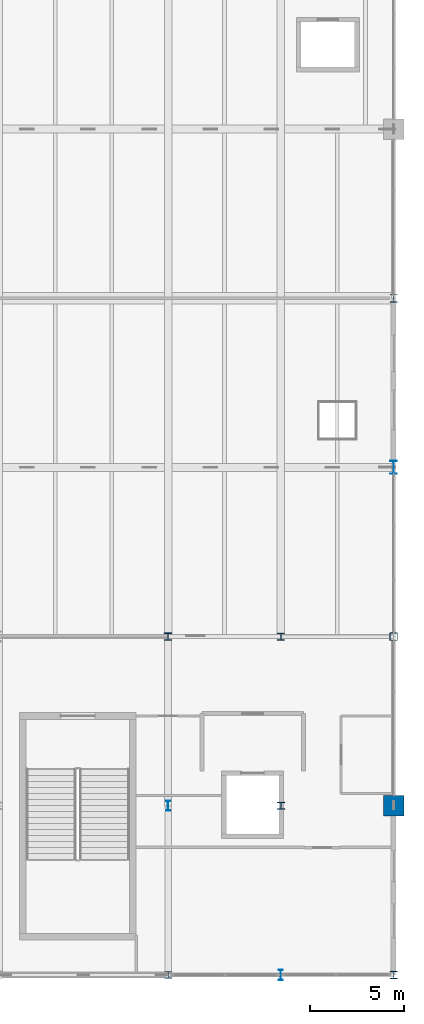
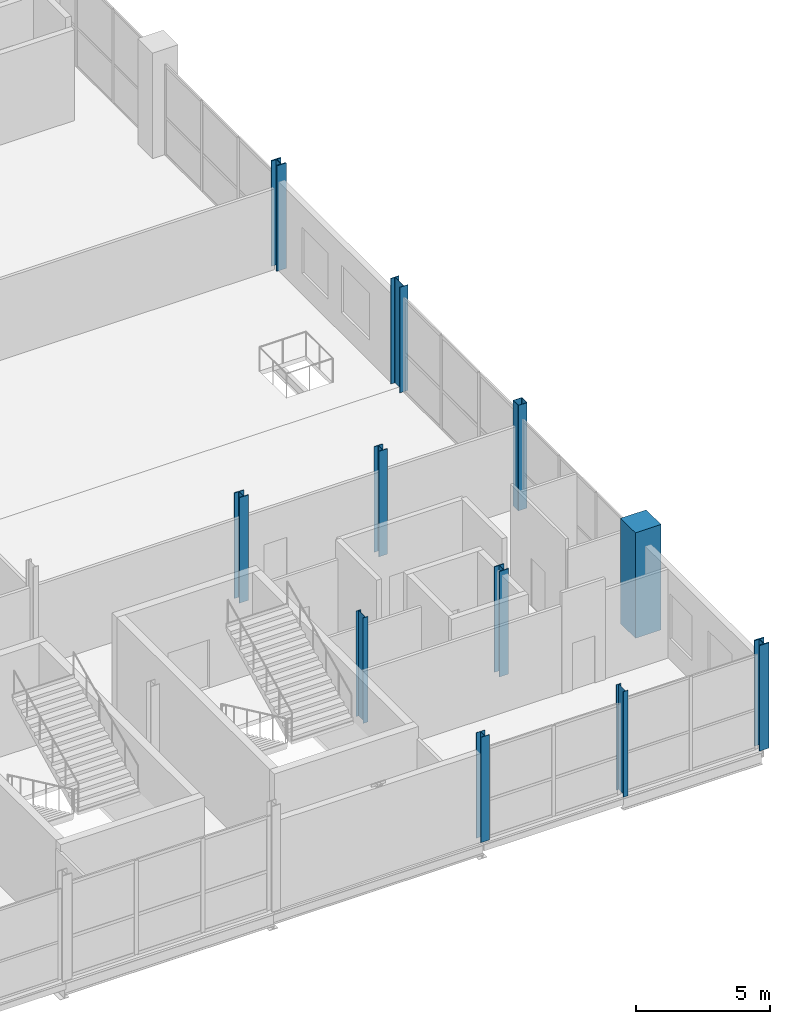
# One storey, part 4 of 69: 11 columns.
"""IFC4 building model written with IfcOpenShell, lengths in metres."""

from ifc_helpers import new_model, si_unit, direction, frame, origin, origin_2d, place, context, subcontext, project, spatial, rectangle, hollow_rectangle, i_section, extrude, material, material_profile, profile_set, type_object, element, save


model = new_model("IFC4")

# Units and contexts
model_context = context("Model", 3, precision=1e-05, world=origin(), true_north=direction((0.0, 1.0)))
body_context = subcontext(model_context, "Body", "Model", "MODEL_VIEW")
ifc_project = project(units=[si_unit("LENGTHUNIT", "METRE"), si_unit("AREAUNIT", "SQUARE_METRE"), si_unit("VOLUMEUNIT", "CUBIC_METRE"), si_unit("PLANEANGLEUNIT", "RADIAN"), si_unit("MASSUNIT", "GRAM", prefix="KILO")], contexts=[model_context])

# Site, building, storey
site_placement = place(None, origin())
site = spatial("IfcSite", under=ifc_project, at=site_placement, CompositionType="ELEMENT")
building_placement = place(site_placement, origin())
building = spatial("IfcBuilding", under=site, at=building_placement, Name="Qamarlyn Nura Convention Centre", CompositionType="ELEMENT")
storey_placement = place(building_placement, frame((0.0, 0.0, 15.60009765625)))
storey = spatial("IfcBuildingStorey", under=building, at=storey_placement, Name="L03", CompositionType="ELEMENT", Elevation=15.60009765625)

# Columns
ifc_material_1 = material(Name="Steel ASTM A500 Grade C", Category="steel")
ifc_material_profile_1 = material_profile(ifc_material_1, hollow_rectangle(XDim=0.39990234375, YDim=0.39990234375, WallThickness=0.01611328125, InnerFilletRadius=0.01611328125, OuterFilletRadius=0.031982421875, at=origin_2d()), Name="HSS400X400X16")
ifc_profile_set_1 = profile_set([ifc_material_profile_1], Name="Steel ASTM A500 Grade C")
column_type_1 = type_object("IfcColumnType", Name="COL-HSS-1", PredefinedType="COLUMN", material=ifc_profile_set_1)
column_1_placement = place(storey_placement, frame((192.0, 18.0, 0.0), z_axis=(0.0, 0.0, 1.0), x_axis=(1.0, 0.0, 0.0)))
element("IfcColumn", 1, at=column_1_placement, inside=storey, type_object=column_type_1, Name="L03 column 18/C", PredefinedType="COLUMN", context=body_context, shape_type="SweptSolid", body=[
    extrude(hollow_rectangle(XDim=0.39990234375, YDim=0.39990234375, WallThickness=0.01611328125, InnerFilletRadius=0.01611328125, OuterFilletRadius=0.031982421875, at=origin_2d()), origin(), (0.0, 0.0, 1.0), 4.7998046875),
])
ifc_material_2 = material(Name="Steel ASTM A992", Category="steel")
ifc_material_profile_2 = material_profile(ifc_material_2, i_section(OverallWidth=0.408935546875, OverallDepth=0.425048828125, WebThickness=0.030517578125, FlangeThickness=0.049072265625, FilletRadius=0.02001953125, at=origin_2d()), Name="W360X421")
ifc_profile_set_2 = profile_set([ifc_material_profile_2], Name="Steel ASTM A992")
column_type_2 = type_object("IfcColumnType", Name="COL-MEGA-1", PredefinedType="COLUMN", material=ifc_profile_set_2)
for number, where, z_axis, x_axis, name in (
    (2, (192.0, 0.0, 0.0), (0.0, 0.0, 1.0), (1.0, 0.0, 0.0), "L03 column 18/A"),
    (3, (192.0, 36.0, 0.0), (0.0, 0.0, 1.0), (1.0, 0.0, 0.0), "L03 column 18/E"),
):
    element("IfcColumn", number, at=place(storey_placement, frame(where, z_axis=z_axis, x_axis=x_axis)), inside=storey, type_object=column_type_2, Name=name, PredefinedType="COLUMN", context=body_context, shape_type="SweptSolid", body=[
        extrude(i_section(OverallWidth=0.408935546875, OverallDepth=0.425048828125, WebThickness=0.030517578125, FlangeThickness=0.049072265625, FilletRadius=0.02001953125, at=origin_2d()), origin(), (0.0, 0.0, 1.0), 4.7998046875),
    ])
ifc_material_3 = material(Name="Concrete C50/60", Category="concrete")
ifc_material_profile_3 = material_profile(ifc_material_3, rectangle(XDim=1.10009765625, YDim=1.10009765625, at=origin_2d()), Name="RC 1100x1100")
ifc_profile_set_3 = profile_set([ifc_material_profile_3], Name="Concrete C50/60")
column_type_3 = type_object("IfcColumnType", Name="COL-MEGA-2", PredefinedType="COLUMN", material=ifc_profile_set_3)
column_2_placement = place(storey_placement, frame((192.0, 9.0, 0.0), z_axis=(0.0, 0.0, 1.0), x_axis=(1.0, 0.0, 0.0)))
element("IfcColumn", 4, at=column_2_placement, inside=storey, type_object=column_type_3, Name="L03 column 18/B", PredefinedType="COLUMN", context=body_context, shape_type="SweptSolid", body=[
    extrude(rectangle(XDim=1.10009765625, YDim=1.10009765625, at=origin_2d()), origin(), (0.0, 0.0, 1.0), 4.7998046875),
])
ifc_material_profile_4 = material_profile(ifc_material_2, i_section(OverallWidth=0.39892578125, OverallDepth=0.39306640625, WebThickness=0.022705078125, FlangeThickness=0.03662109375, FilletRadius=0.01806640625, at=origin_2d()), Name="W360X287")
ifc_profile_set_4 = profile_set([ifc_material_profile_4], Name="Steel ASTM A992")
column_type_4 = type_object("IfcColumnType", Name="COL-WING-1", PredefinedType="COLUMN", material=ifc_profile_set_4)
for number, where, z_axis, x_axis, name in (
    (5, (180.0, 18.0, 0.0), (0.0, 0.0, 1.0), (1.0, 0.0, 0.0), "L03 column 16/C"),
    (6, (186.0, 9.0, 0.0), (0.0, 0.0, 1.0), (1.0, 0.0, 0.0), "L03 column 17/B"),
):
    element("IfcColumn", number, at=place(storey_placement, frame(where, z_axis=z_axis, x_axis=x_axis)), inside=storey, type_object=column_type_4, Name=name, PredefinedType="COLUMN", context=body_context, shape_type="SweptSolid", body=[
        extrude(i_section(OverallWidth=0.39892578125, OverallDepth=0.39306640625, WebThickness=0.022705078125, FlangeThickness=0.03662109375, FilletRadius=0.01806640625, at=origin_2d()), origin(), (0.0, 0.0, 1.0), 4.7998046875),
    ])
ifc_material_profile_5 = material_profile(ifc_material_2, i_section(OverallWidth=0.3740234375, OverallDepth=0.3720703125, WebThickness=0.016357421875, FlangeThickness=0.026123046875, FilletRadius=0.01611328125, at=origin_2d()), Name="W360X196")
ifc_profile_set_5 = profile_set([ifc_material_profile_5], Name="Steel ASTM A992")
column_type_5 = type_object("IfcColumnType", Name="COL-WING-2", PredefinedType="COLUMN", material=ifc_profile_set_5)
column_3_placement = place(storey_placement, frame((186.0, 18.0, 0.0), z_axis=(0.0, 0.0, 1.0), x_axis=(1.0, 0.0, 0.0)))
element("IfcColumn", 7, at=column_3_placement, inside=storey, type_object=column_type_5, Name="L03 column 17/C", PredefinedType="COLUMN", context=body_context, shape_type="SweptSolid", body=[
    extrude(i_section(OverallWidth=0.3740234375, OverallDepth=0.3720703125, WebThickness=0.016357421875, FlangeThickness=0.026123046875, FilletRadius=0.01611328125, at=origin_2d()), origin(), (0.0, 0.0, 1.0), 4.7998046875),
])
ifc_material_profile_6 = material_profile(ifc_material_2, i_section(OverallWidth=0.368896484375, OverallDepth=0.35595703125, WebThickness=0.01123046875, FlangeThickness=0.01806640625, FilletRadius=0.014892578125, at=origin_2d()), Name="W360X134")
ifc_profile_set_6 = profile_set([ifc_material_profile_6], Name="Steel ASTM A992")
column_type_6 = type_object("IfcColumnType", Name="COL-WING-3", PredefinedType="COLUMN", material=ifc_profile_set_6)
column_4_placement = place(storey_placement, frame((180.0, 0.0, 0.0), z_axis=(0.0, 0.0, 1.0), x_axis=(1.0, 0.0, 0.0)))
element("IfcColumn", 8, at=column_4_placement, inside=storey, type_object=column_type_6, Name="L03 column 16/A", PredefinedType="COLUMN", context=body_context, shape_type="SweptSolid", body=[
    extrude(i_section(OverallWidth=0.368896484375, OverallDepth=0.35595703125, WebThickness=0.01123046875, FlangeThickness=0.01806640625, FilletRadius=0.014892578125, at=origin_2d()), origin(), (0.0, 0.0, 1.0), 4.7998046875),
])
ifc_material_profile_7 = material_profile(ifc_material_2, i_section(OverallWidth=0.35498046875, OverallDepth=0.695068359375, WebThickness=0.015380859375, FlangeThickness=0.02490234375, FilletRadius=0.01806640625, at=origin_2d()), Name="W690X217")
ifc_profile_set_7 = profile_set([ifc_material_profile_7], Name="Steel ASTM A992")
column_type_7 = type_object("IfcColumnType", Name="COL-WING-5", PredefinedType="COLUMN", material=ifc_profile_set_7)
column_5_placement = place(storey_placement, frame((192.0, 27.0, 0.0), z_axis=(0.0, 0.0, 1.0), x_axis=(1.0, 0.0, 0.0)))
element("IfcColumn", 9, at=column_5_placement, inside=storey, type_object=column_type_7, Name="L03 column 18/D", PredefinedType="COLUMN", context=body_context, shape_type="SweptSolid", body=[
    extrude(i_section(OverallWidth=0.35498046875, OverallDepth=0.695068359375, WebThickness=0.015380859375, FlangeThickness=0.02490234375, FilletRadius=0.01806640625, at=origin_2d()), origin(), (0.0, 0.0, 1.0), 4.7998046875),
])
ifc_material_profile_8 = material_profile(ifc_material_2, i_section(OverallWidth=0.2109375, OverallDepth=0.5390625, WebThickness=0.01171875, FlangeThickness=0.018798828125, FilletRadius=0.013916015625, at=origin_2d()), Name="W530X109")
ifc_profile_set_8 = profile_set([ifc_material_profile_8], Name="Steel ASTM A992")
column_type_8 = type_object("IfcColumnType", Name="COL-WING-7", PredefinedType="COLUMN", material=ifc_profile_set_8)
for number, where, z_axis, x_axis, name in (
    (10, (180.0, 9.0, 0.0), (0.0, 0.0, 1.0), (1.0, 0.0, 0.0), "L03 column 16/B"),
    (11, (186.0, 0.0, 0.0), (0.0, 0.0, 1.0), (1.0, 0.0, 0.0), "L03 column 17/A"),
):
    element("IfcColumn", number, at=place(storey_placement, frame(where, z_axis=z_axis, x_axis=x_axis)), inside=storey, type_object=column_type_8, Name=name, PredefinedType="COLUMN", context=body_context, shape_type="SweptSolid", body=[
        extrude(i_section(OverallWidth=0.2109375, OverallDepth=0.5390625, WebThickness=0.01171875, FlangeThickness=0.018798828125, FilletRadius=0.013916015625, at=origin_2d()), origin(), (0.0, 0.0, 1.0), 4.7998046875),
    ])

save(model, "model.ifc")
